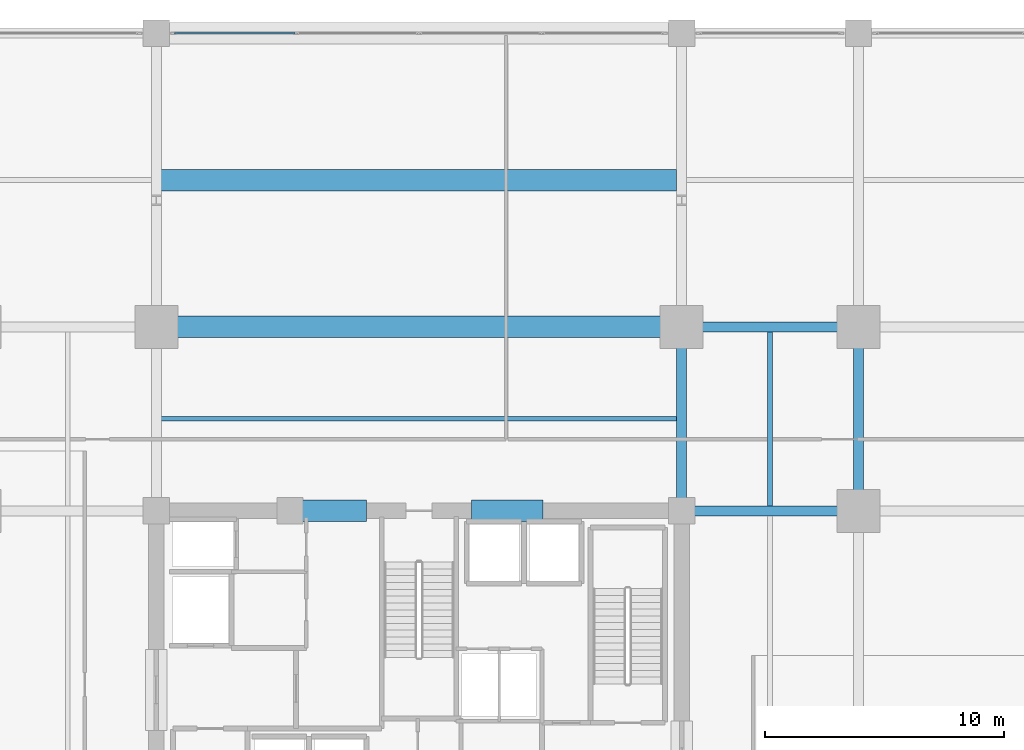
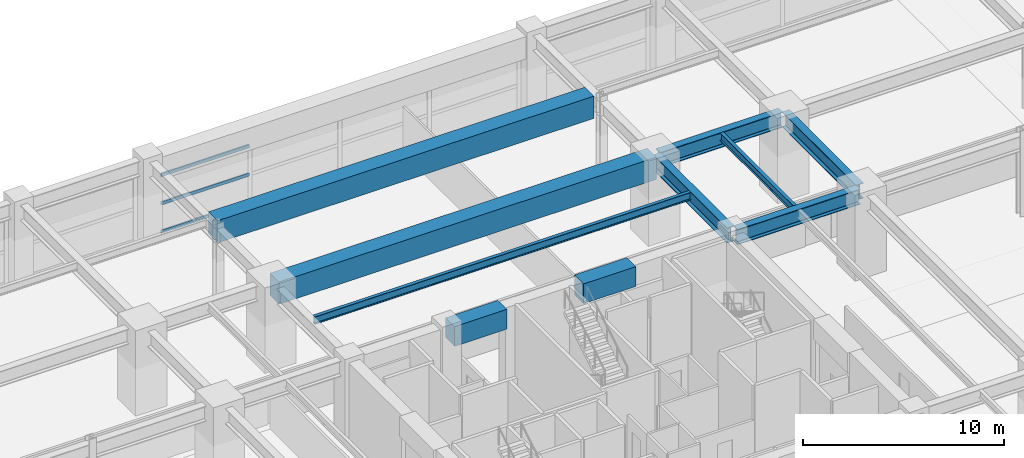
# One storey, part 18 of 45: 10 beams, 3 members, 1 element without a shape of its own.
"""IFC4 building model written with IfcOpenShell, lengths in metres."""

from ifc_helpers import new_model, si_unit, direction, frame, origin, origin_2d, place, context, subcontext, project, spatial, rectangle, hollow_rectangle, i_section, extrude, material, material_profile, profile_set, type_object, element, aggregate, save


model = new_model("IFC4")

# Units and contexts
model_context = context("Model", 3, precision=1e-05, world=origin(), true_north=direction((0.0, 1.0)))
body_context = subcontext(model_context, "Body", "Model", "MODEL_VIEW")
ifc_project = project(units=[si_unit("LENGTHUNIT", "METRE"), si_unit("AREAUNIT", "SQUARE_METRE"), si_unit("VOLUMEUNIT", "CUBIC_METRE"), si_unit("PLANEANGLEUNIT", "RADIAN"), si_unit("MASSUNIT", "GRAM", prefix="KILO")], contexts=[model_context])

# Site, building, storey
site_placement = place(None, origin())
site = spatial("IfcSite", under=ifc_project, at=site_placement, CompositionType="ELEMENT")
building_placement = place(site_placement, origin())
building = spatial("IfcBuilding", under=site, at=building_placement, Name="Kovane Verandah Tower", CompositionType="ELEMENT")
storey_placement = place(building_placement, frame((0.0, 0.0, 6.0)))
storey = spatial("IfcBuildingStorey", under=building, at=storey_placement, Name="L01", CompositionType="ELEMENT", Elevation=6.0)

# Beams
ifc_material_1 = material(Name="Concrete C80/95", Category="concrete")
ifc_material_profile_1 = material_profile(ifc_material_1, rectangle(XDim=0.89990234375, YDim=1.199951171875, at=origin_2d()), Name="RCB900x1200")
ifc_profile_set_1 = profile_set([ifc_material_profile_1], Name="Concrete C80/95")
beam_type_1 = type_object("IfcBeamType", Name="BM-LINTEL-900x1200", PredefinedType="LINTEL", material=ifc_profile_set_1)
for number, where, z_axis, x_axis, name in (
    (1, (34.800048828125, 36.5, 4.320068359375), (1.0, 0.0, 0.0), (0.0, 1.0, 0.0), "L01 Core Coupling Lintel CL-N1"),
    (2, (42.199951171875, 36.5, 4.320068359375), (1.0, 0.0, 0.0), (0.0, 1.0, 0.0), "L01 Core Coupling Lintel CL-N2"),
):
    element("IfcBeam", number, at=place(storey_placement, frame(where, z_axis=z_axis, x_axis=x_axis)), inside=storey, type_object=beam_type_1, Name=name, PredefinedType="LINTEL", context=body_context, shape_type="SweptSolid", body=[
        extrude(rectangle(XDim=0.89990234375, YDim=1.199951171875, at=origin_2d()), origin(), (0.0, 0.0, 1.0), 3.0),
    ])
ifc_material_profile_2 = material_profile(ifc_material_1, rectangle(XDim=0.89990234375, YDim=1.35009765625, at=origin_2d()), Name="RCB900x1350")
ifc_profile_set_2 = profile_set([ifc_material_profile_2], Name="Concrete C80/95")
beam_type_2 = type_object("IfcBeamType", Name="BM-TR-900x1350", PredefinedType="BEAM", material=ifc_profile_set_2)
beam_1_placement = place(storey_placement, frame((29.179931640625, 44.199951171875, 4.2451171875), z_axis=(1.0, 0.0, 0.0), x_axis=(0.0, 1.0, 0.0)))
element("IfcBeam", 3, at=beam_1_placement, inside=storey, type_object=beam_type_2, Name="L01 Primary Tower Girder G-RN2", PredefinedType="BEAM", context=body_context, shape_type="SweptSolid", body=[
    extrude(rectangle(XDim=0.89990234375, YDim=1.35009765625, at=origin_2d()), origin(), (0.0, 0.0, 1.0), 21.64013671875),
])
beam_2_placement = place(storey_placement, frame((29.208251953125, 50.35009765625, 4.22509765625), z_axis=(1.0, 0.0, 0.0), x_axis=(0.0, 1.0, 0.0)))
element("IfcBeam", 4, at=beam_2_placement, inside=storey, type_object=beam_type_2, Name="L01 Podium Secondary Joist 04", PredefinedType="BEAM", context=body_context, shape_type="SweptSolid", body=[
    extrude(rectangle(XDim=0.89990234375, YDim=1.35009765625, at=origin_2d()), origin(), (0.0, 0.0, 1.0), 21.58349609375),
])
ifc_material_2 = material(Name="Steel S460", Category="steel")
ifc_material_profile_3 = material_profile(ifc_material_2, i_section(OverallWidth=0.42041015625, OverallDepth=0.9208984375, WebThickness=0.021484375, FlangeThickness=0.03662109375, FilletRadius=0.024169921875, at=origin_2d()), Name="UB914x419x388")
ifc_profile_set_3 = profile_set([ifc_material_profile_3], Name="Steel S460")
beam_type_3 = type_object("IfcBeamType", Name="BM-UB914x388", PredefinedType="BEAM", material=ifc_profile_set_3)
beam_3_placement = place(storey_placement, frame((51.179931640625, 44.199951171875, 4.45947265625), z_axis=(1.0, 0.0, 0.0), x_axis=(0.0, 1.0, 0.0)))
element("IfcBeam", 5, at=beam_3_placement, inside=storey, type_object=beam_type_3, Name="L01 Primary Tower Girder G-RN3", PredefinedType="BEAM", context=body_context, shape_type="SweptSolid", body=[
    extrude(i_section(OverallWidth=0.42041015625, OverallDepth=0.9208984375, WebThickness=0.021484375, FlangeThickness=0.03662109375, FilletRadius=0.024169921875, at=origin_2d()), origin(), (0.0, 0.0, 1.0), 7.0400390625),
])
beam_4_placement = place(storey_placement, frame((58.39990234375, 36.679931640625, 4.45947265625), z_axis=(0.0, 1.0, 0.0), x_axis=(-1.0, 0.0, 0.0)))
element("IfcBeam", 6, at=beam_4_placement, inside=storey, type_object=beam_type_3, Name="L01 Primary Tower Girder G-RE3", PredefinedType="BEAM", context=body_context, shape_type="SweptSolid", body=[
    extrude(i_section(OverallWidth=0.42041015625, OverallDepth=0.9208984375, WebThickness=0.021484375, FlangeThickness=0.03662109375, FilletRadius=0.024169921875, at=origin_2d()), origin(), (0.0, 0.0, 1.0), 7.340087890625),
])
beam_5_placement = place(storey_placement, frame((51.179931640625, 36.5, 4.45947265625), z_axis=(1.0, 0.0, 0.0), x_axis=(0.0, 1.0, 0.0)))
element("IfcBeam", 7, at=beam_5_placement, inside=storey, type_object=beam_type_3, Name="L01 Primary Tower Girder G-E2", PredefinedType="BEAM", context=body_context, shape_type="SweptSolid", body=[
    extrude(i_section(OverallWidth=0.42041015625, OverallDepth=0.9208984375, WebThickness=0.021484375, FlangeThickness=0.03662109375, FilletRadius=0.024169921875, at=origin_2d()), origin(), (0.0, 0.0, 1.0), 7.0400390625),
])
beam_6_placement = place(storey_placement, frame((51.0, 36.679931640625, 4.45947265625), z_axis=(0.0, 1.0, 0.0), x_axis=(-1.0, 0.0, 0.0)))
element("IfcBeam", 8, at=beam_6_placement, inside=storey, type_object=beam_type_3, Name="L01 Primary Tower Girder G-N2", PredefinedType="BEAM", context=body_context, shape_type="SweptSolid", body=[
    extrude(i_section(OverallWidth=0.42041015625, OverallDepth=0.9208984375, WebThickness=0.021484375, FlangeThickness=0.03662109375, FilletRadius=0.024169921875, at=origin_2d()), origin(), (0.0, 0.0, 1.0), 7.340087890625),
])

# Curtain wall, members
ifc_material_3 = material(Name="Champagne Anodised Aluminium Frame with Low-E Clear Laminated Glass", Category="aluminium")
curtain_wall_type = type_object("IfcCurtainWallType", Name="CW-SYS-01-POD", PredefinedType="NOTDEFINED", material=ifc_material_3)
curtain_wall_placement = place(storey_placement, origin())
curtain_wall = element("IfcCurtainWall", 9, at=curtain_wall_placement, inside=storey, type_object=curtain_wall_type, Name="L01 North Podium Curtain Wall Bay 4", PredefinedType="NOTDEFINED")
ifc_material_4 = material(Name="Champagne Anodised Aluminium 6063-T6", Category="aluminium")
ifc_material_profile_4 = material_profile(ifc_material_4, hollow_rectangle(XDim=0.0849609375, YDim=0.18994140625, WallThickness=0.00390625, at=origin_2d()), Name="AL85x190x4")
ifc_profile_set_4 = profile_set([ifc_material_profile_4], Name="Champagne Anodised Aluminium 6063-T6")
member_type = type_object("IfcMemberType", Name="CW-TRN-85x190", PredefinedType="USERDEFINED", material=ifc_profile_set_4)
member_1_placement = place(storey_placement, frame((34.81005859375, 56.5, 0.050048828125), z_axis=(-1.0, 0.0, 0.0), x_axis=(0.0, -1.0, 0.0)))
member_1 = element("IfcMember", 10, at=member_1_placement, type_object=member_type, Name="L01 North Podium Curtain Wall Bay 4 Transom TB Bay 4", ObjectType="TRANSOM", PredefinedType="USERDEFINED", context=body_context, shape_type="SweptSolid", body=[
    extrude(hollow_rectangle(XDim=0.0849609375, YDim=0.18994140625, WallThickness=0.00390625, at=origin_2d()), origin(), (0.0, 0.0, 1.0), 5.0400390625),
])
member_2_placement = place(storey_placement, frame((34.81005859375, 56.5, 1.764892578125), z_axis=(-1.0, 0.0, 0.0), x_axis=(0.0, -1.0, 0.0)))
member_2 = element("IfcMember", 11, at=member_2_placement, type_object=member_type, Name="L01 North Podium Curtain Wall Bay 4 Transom TM Bay 4", ObjectType="TRANSOM", PredefinedType="USERDEFINED", context=body_context, shape_type="SweptSolid", body=[
    extrude(hollow_rectangle(XDim=0.0849609375, YDim=0.18994140625, WallThickness=0.00390625, at=origin_2d()), origin(), (0.0, 0.0, 1.0), 5.0400390625),
])
member_3_placement = place(storey_placement, frame((34.81005859375, 56.5, 3.47998046875), z_axis=(-1.0, 0.0, 0.0), x_axis=(0.0, -1.0, 0.0)))
member_3 = element("IfcMember", 12, at=member_3_placement, type_object=member_type, Name="L01 North Podium Curtain Wall Bay 4 Transom TT Bay 4", ObjectType="TRANSOM", PredefinedType="USERDEFINED", context=body_context, shape_type="SweptSolid", body=[
    extrude(hollow_rectangle(XDim=0.0849609375, YDim=0.18994140625, WallThickness=0.00390625, at=origin_2d()), origin(), (0.0, 0.0, 1.0), 5.0400390625),
])
aggregate(curtain_wall, [member_1, member_2, member_3])

# Beams
ifc_material_5 = material(Name="Steel S355", Category="steel")
ifc_material_profile_5 = material_profile(ifc_material_5, i_section(OverallWidth=0.19287109375, OverallDepth=0.46728515625, WebThickness=0.011474609375, FlangeThickness=0.01953125, FilletRadius=0.01025390625, at=origin_2d()), Name="UB457x191x98")
ifc_profile_set_5 = profile_set([ifc_material_profile_5], Name="Steel S355")
beam_type_4 = type_object("IfcBeamType", Name="JST-UB457x98", PredefinedType="JOIST", material=ifc_profile_set_5)
beam_7_placement = place(storey_placement, frame((29.208251953125, 40.35009765625, 4.686279296875), z_axis=(1.0, 0.0, 0.0), x_axis=(0.0, 1.0, 0.0)))
element("IfcBeam", 13, at=beam_7_placement, inside=storey, type_object=beam_type_4, Name="L01 Secondary Composite Joist J-N1", PredefinedType="JOIST", context=body_context, shape_type="SweptSolid", body=[
    extrude(i_section(OverallWidth=0.19287109375, OverallDepth=0.46728515625, WebThickness=0.011474609375, FlangeThickness=0.01953125, FilletRadius=0.01025390625, at=origin_2d()), origin(), (0.0, 0.0, 1.0), 21.58349609375),
])
beam_8_placement = place(storey_placement, frame((54.699951171875, 36.708251953125, 4.686279296875), z_axis=(0.0, 1.0, 0.0), x_axis=(-1.0, 0.0, 0.0)))
element("IfcBeam", 14, at=beam_8_placement, inside=storey, type_object=beam_type_4, Name="L01 Secondary Composite Joist J-NE1", PredefinedType="JOIST", context=body_context, shape_type="SweptSolid", body=[
    extrude(i_section(OverallWidth=0.19287109375, OverallDepth=0.46728515625, WebThickness=0.011474609375, FlangeThickness=0.01953125, FilletRadius=0.01025390625, at=origin_2d()), origin(), (0.0, 0.0, 1.0), 7.283447265625),
])

save(model, "model.ifc")
